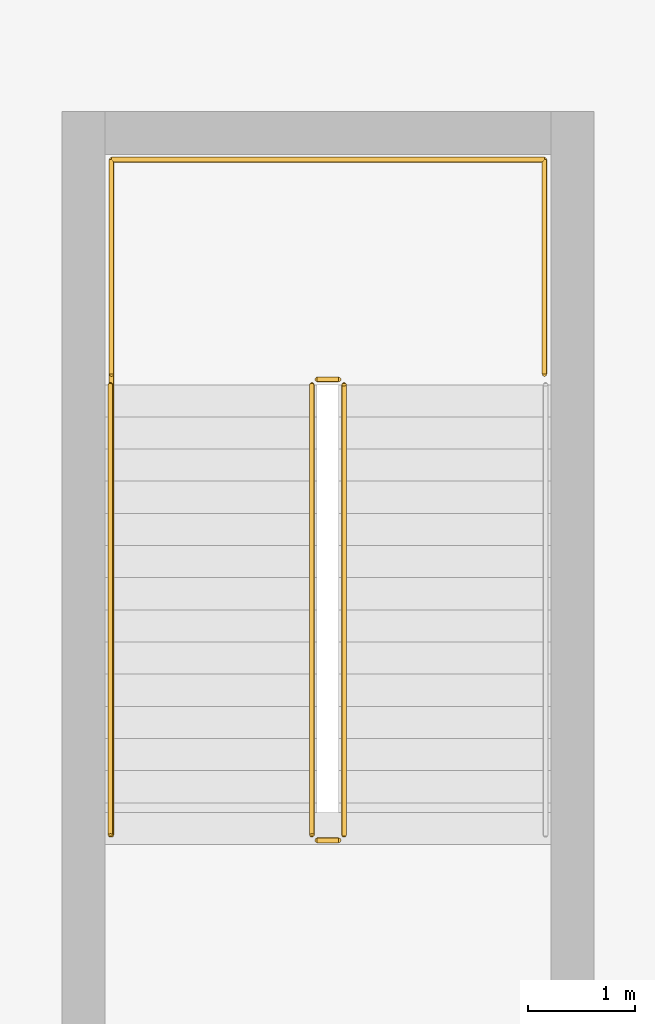
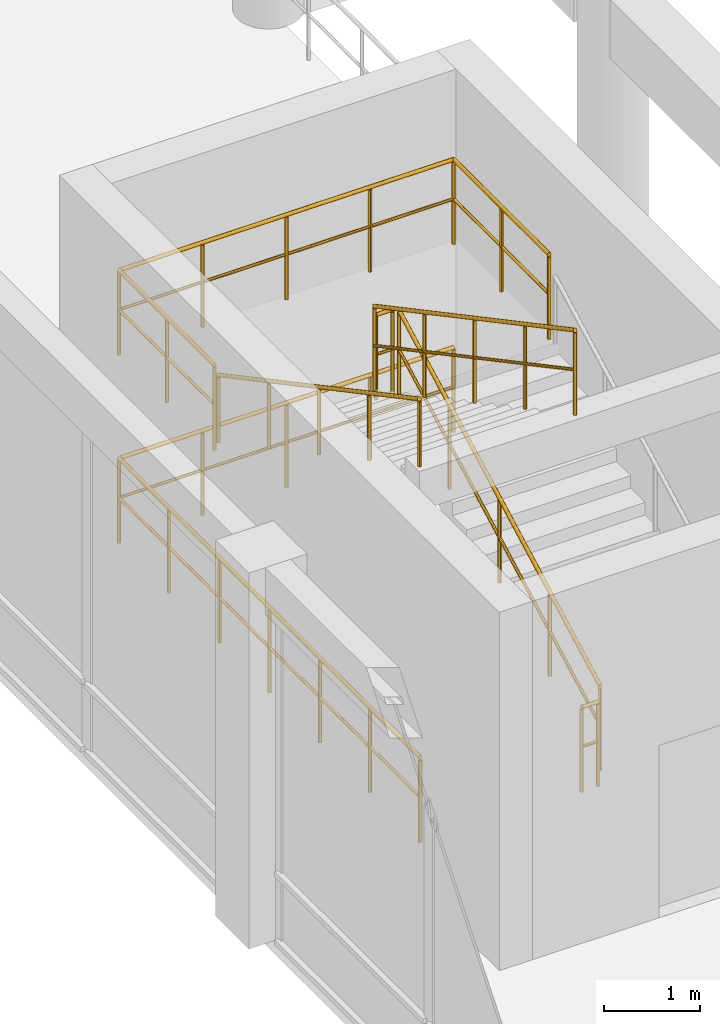
# One storey, part 43 of 51: 7 railings.
"""IFC4 building model written with IfcOpenShell, lengths in metres."""

from ifc_helpers import new_model, si_unit, direction, frame, origin, origin_2d, place, context, subcontext, project, spatial, circle, extrude, material, type_object, element, save


model = new_model("IFC4")

# Units and contexts
model_context = context("Model", 3, precision=1e-05, world=origin(), true_north=direction((0.0, 1.0)))
body_context = subcontext(model_context, "Body", "Model", "MODEL_VIEW")
ifc_project = project(units=[si_unit("LENGTHUNIT", "METRE"), si_unit("AREAUNIT", "SQUARE_METRE"), si_unit("VOLUMEUNIT", "CUBIC_METRE"), si_unit("PLANEANGLEUNIT", "RADIAN"), si_unit("MASSUNIT", "GRAM", prefix="KILO")], contexts=[model_context])

# Site, building, storey
site_placement = place(None, origin())
site = spatial("IfcSite", under=ifc_project, at=site_placement, CompositionType="ELEMENT")
building_placement = place(site_placement, origin())
building = spatial("IfcBuilding", under=site, at=building_placement, Name="Kenerak Square Central Library", CompositionType="ELEMENT")
storey_placement = place(building_placement, frame((0.0, 0.0, 9.60009765625)))
storey = spatial("IfcBuildingStorey", under=building, at=storey_placement, Name="L02", CompositionType="ELEMENT", Elevation=9.60009765625)

# Railings
ifc_material = material(Name="Steel S355", Category="steel")
railing_type_1 = type_object("IfcRailingType", Name="Safety Guardrail GR-1100 S355", PredefinedType="GUARDRAIL", material=ifc_material)
railing_1_placement = place(storey_placement, frame((71.14990234375, 60.449951171875, 0.159912109375)))
element("IfcRailing", 1, at=railing_1_placement, inside=storey, type_object=railing_type_1, Name="L02 ST-08 stair guard 1", PredefinedType="GUARDRAIL", context=body_context, shape_type="SweptSolid", body=[
    extrude(circle(Radius=0.02392578125, at=origin_2d()), frame((0.0, 0.0, 1.076171875), z_axis=(0.0, 0.882351521365, 0.470590897432), x_axis=(-1.0, 0.0, 0.0)), (0.0, 0.0, 1.0), 4.760009765625),
    extrude(circle(Radius=0.01806640625, at=origin_2d()), frame((0.0, 0.0, 0.572021484375), z_axis=(0.0, 0.882351521365, 0.470590897432), x_axis=(-1.0, 0.0, 0.0)), (0.0, 0.0, 1.0), 4.760009765625),
    extrude(circle(Radius=0.02099609375, at=origin_2d()), origin(), (0.0, 0.0, 1.0), 1.052001953125),
    extrude(circle(Radius=0.02099609375, at=origin_2d()), frame((0.0, 1.050048828125, 0.56005859375)), (0.0, 0.0, 1.0), 1.052001953125),
    extrude(circle(Radius=0.02099609375, at=origin_2d()), frame((0.0, 2.10009765625, 1.1201171875)), (0.0, 0.0, 1.0), 1.052001953125),
    extrude(circle(Radius=0.02099609375, at=origin_2d()), frame((0.0, 3.14990234375, 1.679931640625)), (0.0, 0.0, 1.0), 1.052001953125),
    extrude(circle(Radius=0.02099609375, at=origin_2d()), frame((0.0, 4.199951171875, 2.239990234375)), (0.0, 0.0, 1.0), 1.052001953125),
])
railing_2_placement = place(storey_placement, frame((71.10009765625, 64.699951171875, 2.39990234375)))
element("IfcRailing", 2, at=railing_2_placement, inside=storey, type_object=railing_type_1, Name="L02 ST-08 stair guard 2", PredefinedType="GUARDRAIL", context=body_context, shape_type="SweptSolid", body=[
    extrude(circle(Radius=0.02392578125, at=origin_2d()), frame((0.0, 0.0, 1.076171875), z_axis=(-1.0, 0.0, 0.0), x_axis=(0.0, -1.0, 0.0)), (0.0, 0.0, 1.0), 0.2001953125),
    extrude(circle(Radius=0.01806640625, at=origin_2d()), frame((0.0, 0.0, 0.572021484375), z_axis=(-1.0, 0.0, 0.0), x_axis=(0.0, -1.0, 0.0)), (0.0, 0.0, 1.0), 0.2001953125),
    extrude(circle(Radius=0.02099609375, at=origin_2d()), origin(), (0.0, 0.0, 1.0), 1.052001953125),
    extrude(circle(Radius=0.02099609375, at=origin_2d()), frame((-0.2001953125, 0.0, 0.0)), (0.0, 0.0, 1.0), 1.052001953125),
])
railing_3_placement = place(storey_placement, frame((70.85009765625, 64.64990234375, 2.559814453125)))
element("IfcRailing", 3, at=railing_3_placement, inside=storey, type_object=railing_type_1, Name="L02 ST-08 stair guard 3", PredefinedType="GUARDRAIL", context=body_context, shape_type="SweptSolid", body=[
    extrude(circle(Radius=0.02392578125, at=origin_2d()), frame((0.0, 0.0, 1.076171875), z_axis=(0.0, -0.882351521365, 0.470590897432), x_axis=(1.0, 0.0, 0.0)), (0.0, 0.0, 1.0), 4.760009765625),
    extrude(circle(Radius=0.01806640625, at=origin_2d()), frame((0.0, 0.0, 0.572021484375), z_axis=(0.0, -0.882351521365, 0.470590897432), x_axis=(1.0, 0.0, 0.0)), (0.0, 0.0, 1.0), 4.760009765625),
    extrude(circle(Radius=0.02099609375, at=origin_2d()), origin(), (0.0, 0.0, 1.0), 1.052001953125),
    extrude(circle(Radius=0.02099609375, at=origin_2d()), frame((0.0, -1.050048828125, 0.56005859375)), (0.0, 0.0, 1.0), 1.052001953125),
    extrude(circle(Radius=0.02099609375, at=origin_2d()), frame((0.0, -2.10009765625, 1.1201171875)), (0.0, 0.0, 1.0), 1.052001953125),
    extrude(circle(Radius=0.02099609375, at=origin_2d()), frame((0.0, -3.14990234375, 1.679931640625)), (0.0, 0.0, 1.0), 1.052001953125),
    extrude(circle(Radius=0.02099609375, at=origin_2d()), frame((0.0, -4.199951171875, 2.239990234375)), (0.0, 0.0, 1.0), 1.052001953125),
])
railing_4_placement = place(storey_placement, frame((71.10009765625, 60.39990234375, 0.0)))
element("IfcRailing", 4, at=railing_4_placement, inside=storey, type_object=railing_type_1, Name="L02 ST-08 stair guard 4", PredefinedType="GUARDRAIL", context=body_context, shape_type="SweptSolid", body=[
    extrude(circle(Radius=0.02392578125, at=origin_2d()), frame((0.0, 0.0, 1.076171875), z_axis=(-1.0, 0.0, 0.0), x_axis=(0.0, -1.0, 0.0)), (0.0, 0.0, 1.0), 0.2001953125),
    extrude(circle(Radius=0.01806640625, at=origin_2d()), frame((0.0, 0.0, 0.572021484375), z_axis=(-1.0, 0.0, 0.0), x_axis=(0.0, -1.0, 0.0)), (0.0, 0.0, 1.0), 0.2001953125),
    extrude(circle(Radius=0.02099609375, at=origin_2d()), origin(), (0.0, 0.0, 1.0), 1.052001953125),
    extrude(circle(Radius=0.02099609375, at=origin_2d()), frame((-0.2001953125, 0.0, 0.0)), (0.0, 0.0, 1.0), 1.052001953125),
])
railing_5_placement = place(storey_placement, frame((68.97998046875, 64.75, 2.39990234375)))
element("IfcRailing", 5, at=railing_5_placement, inside=storey, type_object=railing_type_1, Name="Stair Half-Landing Guard ST-08 L02", PredefinedType="GUARDRAIL", context=body_context, shape_type="SweptSolid", body=[
    extrude(circle(Radius=0.02392578125, at=origin_2d()), frame((0.0, 0.0, 1.076171875), z_axis=(0.0, 1.0, 0.0), x_axis=(-1.0, 0.0, 0.0)), (0.0, 0.0, 1.0), 2.0),
    extrude(circle(Radius=0.01806640625, at=origin_2d()), frame((0.0, 0.0, 0.572021484375), z_axis=(0.0, 1.0, 0.0), x_axis=(-1.0, 0.0, 0.0)), (0.0, 0.0, 1.0), 2.0),
    extrude(circle(Radius=0.02392578125, at=origin_2d()), frame((0.0, 2.0, 1.076171875), z_axis=(1.0, 0.0, 0.0), x_axis=(0.0, 1.0, 0.0)), (0.0, 0.0, 1.0), 4.0400390625),
    extrude(circle(Radius=0.01806640625, at=origin_2d()), frame((0.0, 2.0, 0.572021484375), z_axis=(1.0, 0.0, 0.0), x_axis=(0.0, 1.0, 0.0)), (0.0, 0.0, 1.0), 4.0400390625),
    extrude(circle(Radius=0.02392578125, at=origin_2d()), frame((4.0400390625, 2.0, 1.076171875), z_axis=(0.0, -1.0, 0.0), x_axis=(1.0, 0.0, 0.0)), (0.0, 0.0, 1.0), 2.0),
    extrude(circle(Radius=0.01806640625, at=origin_2d()), frame((4.0400390625, 2.0, 0.572021484375), z_axis=(0.0, -1.0, 0.0), x_axis=(1.0, 0.0, 0.0)), (0.0, 0.0, 1.0), 2.0),
    extrude(circle(Radius=0.02099609375, at=origin_2d()), origin(), (0.0, 0.0, 1.0), 1.052001953125),
    extrude(circle(Radius=0.02099609375, at=origin_2d()), frame((0.0, 1.0, 0.0)), (0.0, 0.0, 1.0), 1.052001953125),
    extrude(circle(Radius=0.02099609375, at=origin_2d()), frame((0.0, 2.0, 0.0)), (0.0, 0.0, 1.0), 1.052001953125),
    extrude(circle(Radius=0.02099609375, at=origin_2d()), frame((1.010009765625, 2.0, 0.0)), (0.0, 0.0, 1.0), 1.052001953125),
    extrude(circle(Radius=0.02099609375, at=origin_2d()), frame((2.02001953125, 2.0, 0.0)), (0.0, 0.0, 1.0), 1.052001953125),
    extrude(circle(Radius=0.02099609375, at=origin_2d()), frame((3.030029296875, 2.0, 0.0)), (0.0, 0.0, 1.0), 1.052001953125),
    extrude(circle(Radius=0.02099609375, at=origin_2d()), frame((4.0400390625, 2.0, 0.0)), (0.0, 0.0, 1.0), 1.052001953125),
    extrude(circle(Radius=0.02099609375, at=origin_2d()), frame((4.0400390625, 1.0, 0.0)), (0.0, 0.0, 1.0), 1.052001953125),
    extrude(circle(Radius=0.02099609375, at=origin_2d()), frame((4.0400390625, 0.0, 0.0)), (0.0, 0.0, 1.0), 1.052001953125),
])
railing_6_placement = place(storey_placement, frame((68.97998046875, 60.449951171875, 0.0)))
element("IfcRailing", 6, at=railing_6_placement, inside=storey, type_object=railing_type_1, Name="Stair Well Floor Guard ST-08 L02", PredefinedType="GUARDRAIL", context=body_context, shape_type="SweptSolid", body=[
    extrude(circle(Radius=0.02392578125, at=origin_2d()), frame((0.0, 0.0, 1.076171875), z_axis=(0.0, 1.0, 0.0), x_axis=(-1.0, 0.0, 0.0)), (0.0, 0.0, 1.0), 6.300048828125),
    extrude(circle(Radius=0.01806640625, at=origin_2d()), frame((0.0, 0.0, 0.572021484375), z_axis=(0.0, 1.0, 0.0), x_axis=(-1.0, 0.0, 0.0)), (0.0, 0.0, 1.0), 6.300048828125),
    extrude(circle(Radius=0.02392578125, at=origin_2d()), frame((0.0, 6.300048828125, 1.076171875), z_axis=(1.0, 0.0, 0.0), x_axis=(0.0, 1.0, 0.0)), (0.0, 0.0, 1.0), 4.0400390625),
    extrude(circle(Radius=0.01806640625, at=origin_2d()), frame((0.0, 6.300048828125, 0.572021484375), z_axis=(1.0, 0.0, 0.0), x_axis=(0.0, 1.0, 0.0)), (0.0, 0.0, 1.0), 4.0400390625),
    extrude(circle(Radius=0.02099609375, at=origin_2d()), origin(), (0.0, 0.0, 1.0), 1.052001953125),
    extrude(circle(Radius=0.02099609375, at=origin_2d()), frame((0.0, 1.050048828125, 0.0)), (0.0, 0.0, 1.0), 1.052001953125),
    extrude(circle(Radius=0.02099609375, at=origin_2d()), frame((0.0, 2.10009765625, 0.0)), (0.0, 0.0, 1.0), 1.052001953125),
    extrude(circle(Radius=0.02099609375, at=origin_2d()), frame((0.0, 3.14990234375, 0.0)), (0.0, 0.0, 1.0), 1.052001953125),
    extrude(circle(Radius=0.02099609375, at=origin_2d()), frame((0.0, 4.199951171875, 0.0)), (0.0, 0.0, 1.0), 1.052001953125),
    extrude(circle(Radius=0.02099609375, at=origin_2d()), frame((0.0, 5.25, 0.0)), (0.0, 0.0, 1.0), 1.052001953125),
    extrude(circle(Radius=0.02099609375, at=origin_2d()), frame((0.0, 6.300048828125, 0.0)), (0.0, 0.0, 1.0), 1.052001953125),
    extrude(circle(Radius=0.02099609375, at=origin_2d()), frame((1.010009765625, 6.300048828125, 0.0)), (0.0, 0.0, 1.0), 1.052001953125),
    extrude(circle(Radius=0.02099609375, at=origin_2d()), frame((2.02001953125, 6.300048828125, 0.0)), (0.0, 0.0, 1.0), 1.052001953125),
    extrude(circle(Radius=0.02099609375, at=origin_2d()), frame((3.030029296875, 6.300048828125, 0.0)), (0.0, 0.0, 1.0), 1.052001953125),
    extrude(circle(Radius=0.02099609375, at=origin_2d()), frame((4.0400390625, 6.300048828125, 0.0)), (0.0, 0.0, 1.0), 1.052001953125),
])
railing_type_2 = type_object("IfcRailingType", Name="Stair Handrail HR-880 S355", PredefinedType="HANDRAIL", material=ifc_material)
railing_7_placement = place(storey_placement, frame((68.969970703125, 64.64990234375, 2.559814453125)))
element("IfcRailing", 7, at=railing_7_placement, inside=storey, type_object=railing_type_2, Name="L02 ST-08 stair handrail 2", PredefinedType="HANDRAIL", context=body_context, shape_type="SweptSolid", body=[
    extrude(circle(Radius=0.02392578125, at=origin_2d()), frame((0.0, 0.0, 0.85595703125), z_axis=(0.0, -0.882351521365, 0.470590897432), x_axis=(1.0, 0.0, 0.0)), (0.0, 0.0, 1.0), 4.760009765625),
    extrude(circle(Radius=0.02099609375, at=origin_2d()), origin(), (0.0, 0.0, 1.0), 0.831787109375),
    extrude(circle(Radius=0.02099609375, at=origin_2d()), frame((0.0, -1.050048828125, 0.56005859375)), (0.0, 0.0, 1.0), 0.831787109375),
    extrude(circle(Radius=0.02099609375, at=origin_2d()), frame((0.0, -2.10009765625, 1.1201171875)), (0.0, 0.0, 1.0), 0.831787109375),
    extrude(circle(Radius=0.02099609375, at=origin_2d()), frame((0.0, -3.14990234375, 1.679931640625)), (0.0, 0.0, 1.0), 0.831787109375),
    extrude(circle(Radius=0.02099609375, at=origin_2d()), frame((0.0, -4.199951171875, 2.239990234375)), (0.0, 0.0, 1.0), 0.831787109375),
])

save(model, "model.ifc")
